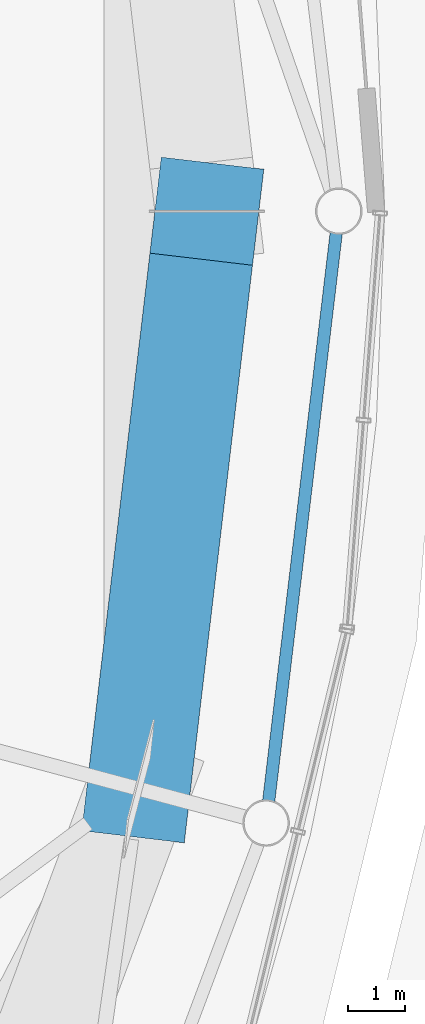
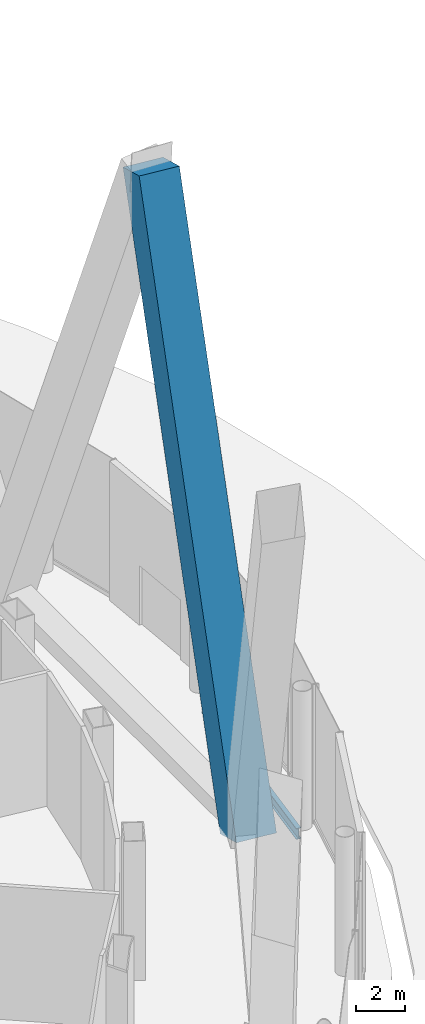
# One storey, part 35 of 67: 1 beam, 1 member.
"""IFC4 building model written with IfcOpenShell, lengths in metres."""

from ifc_helpers import new_model, si_unit, direction, frame, origin, origin_2d, place, context, subcontext, project, spatial, rectangle, i_section, extrude, material, material_profile, profile_set, type_object, element, save


model = new_model("IFC4")

# Units and contexts
model_context = context("Model", 3, precision=1e-05, world=origin(), true_north=direction((0.0, 1.0)))
body_context = subcontext(model_context, "Body", "Model", "MODEL_VIEW")
ifc_project = project(units=[si_unit("LENGTHUNIT", "METRE"), si_unit("AREAUNIT", "SQUARE_METRE"), si_unit("VOLUMEUNIT", "CUBIC_METRE"), si_unit("PLANEANGLEUNIT", "RADIAN"), si_unit("MASSUNIT", "GRAM", prefix="KILO")], contexts=[model_context])

# Site, building, storey
site_placement = place(None, origin())
site = spatial("IfcSite", under=ifc_project, at=site_placement, CompositionType="ELEMENT")
building_placement = place(site_placement, origin())
building = spatial("IfcBuilding", under=site, at=building_placement, Name="Nagisa Residences", CompositionType="ELEMENT")
storey_placement = place(building_placement, origin())
storey = spatial("IfcBuildingStorey", under=building, at=storey_placement, Name="L00", CompositionType="ELEMENT", Elevation=0.0)

# Beam
ifc_material_1 = material(Name="Steel ASTM A572 Gr 50", Category="steel")
ifc_material_profile_1 = material_profile(ifc_material_1, i_section(OverallWidth=0.214111328125, OverallDepth=0.549072265625, WebThickness=0.0146484375, FlangeThickness=0.023681640625, at=origin_2d()), Name="W530x138")
ifc_profile_set_1 = profile_set([ifc_material_profile_1], Name="Steel ASTM A572 Gr 50")
beam_type = type_object("IfcBeamType", Name="Atrium ring beam W530x138", PredefinedType="BEAM", material=ifc_profile_set_1)
beam_placement = place(storey_placement, frame((39.578125, -10.279541015625, -0.674560546875), z_axis=(0.118035165542, 0.993009415713, 0.0), x_axis=(-0.993009415713, 0.118035165542, 0.0)))
element("IfcBeam", 1, at=beam_placement, inside=storey, type_object=beam_type, Name="beam:L00:ab24", PredefinedType="BEAM", context=body_context, shape_type="SweptSolid", body=[
    extrude(i_section(OverallWidth=0.214111328125, OverallDepth=0.549072265625, WebThickness=0.0146484375, FlangeThickness=0.023681640625, at=origin_2d()), origin(), (0.0, 0.0, 1.0), 9.96533203125),
])

# Member
ifc_material_2 = material(Name="Concrete C80", Category="concrete")
ifc_material_profile_2 = material_profile(ifc_material_2, rectangle(XDim=1.800048828125, YDim=1.800048828125, at=origin_2d()), Name="C80 1800x1800")
ifc_profile_set_2 = profile_set([ifc_material_profile_2], Name="Concrete C80")
member_type = type_object("IfcMemberType", Name="Cage diagonal 1 C80 1800x1800", PredefinedType="BRACE", material=ifc_profile_set_2)
member_placement = place(storey_placement, frame((37.310791015625, -10.068115234375, 0.0), z_axis=(0.041233826702, 0.349095007056, 0.936179709022), x_axis=(-0.993096417331, 0.117300920217, 0.0)))
element("IfcMember", 2, at=member_placement, inside=storey, type_object=member_type, Name="mem:L00:cg1d023", PredefinedType="BRACE", context=body_context, shape_type="SweptSolid", body=[
    extrude(rectangle(XDim=1.800048828125, YDim=1.800048828125, at=origin_2d()), origin(), (0.0, 0.0, 1.0), 28.840576171875),
])

save(model, "model.ifc")
